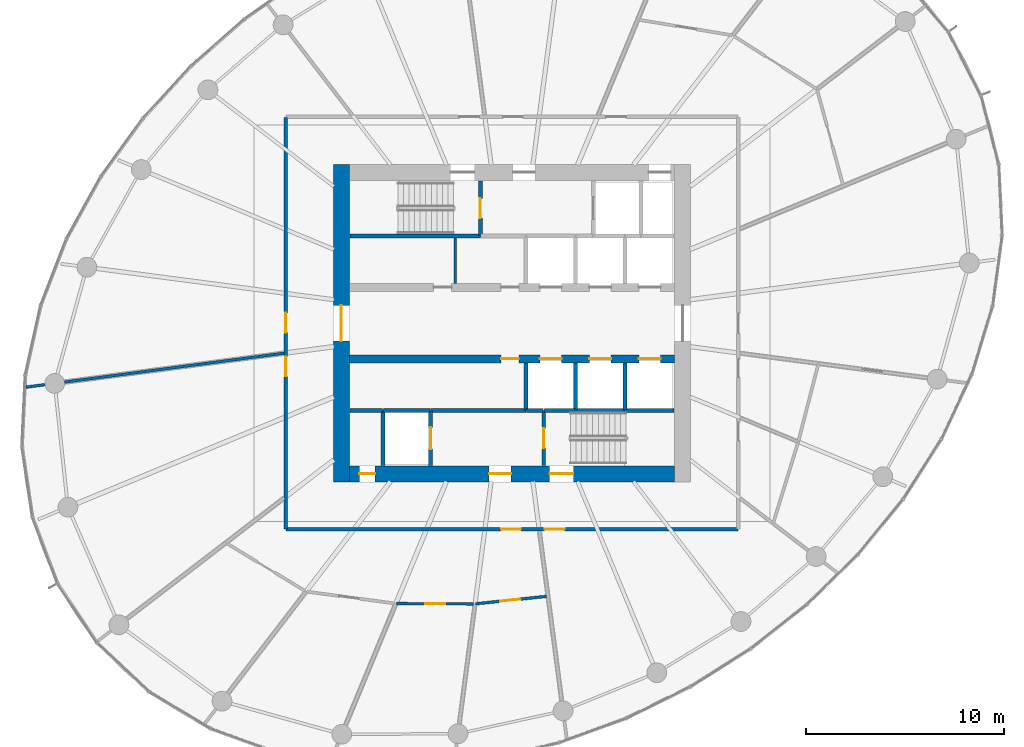
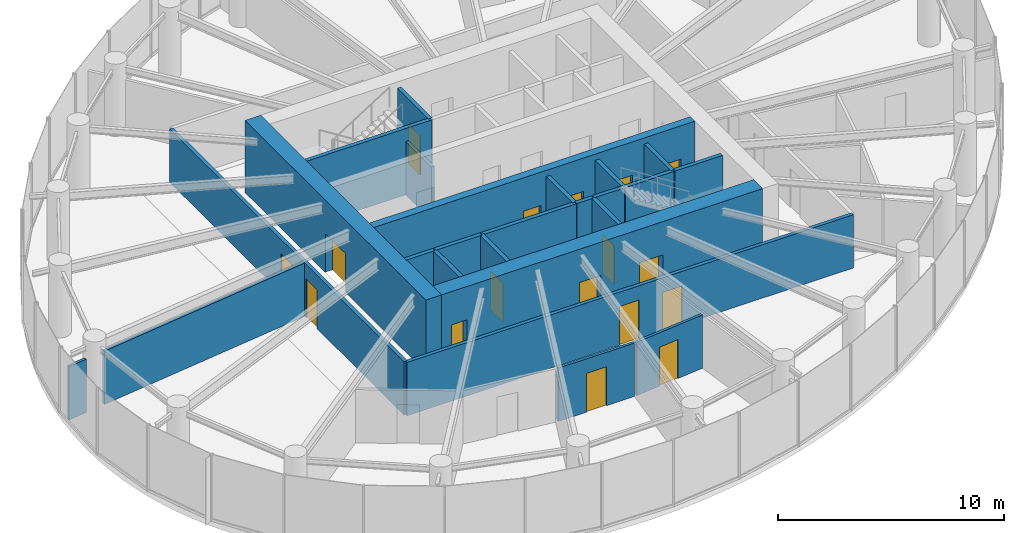
# One storey, part 9 of 14: 25 walls, 17 doors, 17 openings.
"""IFC4 building model written with IfcOpenShell, lengths in metres."""

from ifc_helpers import new_model, si_unit, direction, frame, frame_2d, origin, place, context, subcontext, project, spatial, rectangle, extrude, source, transform, mapped, material, layer, layer_set, type_object, element, fill, save


model = new_model("IFC4")

# Units and contexts
model_context = context("Model", 3, precision=1e-05, world=origin(), true_north=direction((0.0, 1.0)))
body_context = subcontext(model_context, "Body", "Model", "MODEL_VIEW")
ifc_project = project(units=[si_unit("LENGTHUNIT", "METRE"), si_unit("AREAUNIT", "SQUARE_METRE"), si_unit("VOLUMEUNIT", "CUBIC_METRE"), si_unit("PLANEANGLEUNIT", "RADIAN"), si_unit("MASSUNIT", "GRAM", prefix="KILO")], contexts=[model_context])

# Site, building, storey
site_placement = place(None, origin())
site = spatial("IfcSite", under=ifc_project, at=site_placement, CompositionType="ELEMENT")
building_placement = place(site_placement, origin())
building = spatial("IfcBuilding", under=site, at=building_placement, Name="Spindrift Exchange Tower", CompositionType="ELEMENT")
storey_placement = place(building_placement, frame((0.0, 0.0, 140.89990234375)))
storey = spatial("IfcBuildingStorey", under=building, at=storey_placement, Name="L33", CompositionType="ELEMENT", Elevation=140.89990234375)

# Wall, opening, door
ifc_material_1 = material(Name="Concrete 65 MPa", Category="concrete")
ifc_layer_1 = layer(ifc_material_1, 0.800048828125)
ifc_layer_set_1 = layer_set([ifc_layer_1], Name="RC Core Wall 800 Concrete 65 MPa")
wall_type_1 = type_object("IfcWallType", Name="RC Core Wall 800 Concrete 65 MPa", PredefinedType="SHEAR", material=ifc_layer_set_1)
wall_1_placement = place(storey_placement, frame((43.39990234375, 56.0, 0.0), z_axis=(0.0, 0.0, 1.0), x_axis=(0.0, -1.0, 0.0)))
wall_1 = element("IfcWall", 1, at=wall_1_placement, inside=storey, type_object=wall_type_1, Name="Core wall W L33", PredefinedType="SHEAR", context=body_context, shape_type="SweptSolid", body=[
    extrude(rectangle(XDim=16.0, YDim=0.800048828125, at=frame_2d((8.0, 0.0))), origin(), (0.0, 0.0, 1.0), 3.900146484375),
])
opening_1_placement = place(wall_1_placement, frame((7.10009765625, 0.0, 0.0)))
opening_1 = element("IfcOpeningElement", 2, at=opening_1_placement, cuts=wall_1, Name="Opening L33-D1", PredefinedType="OPENING", context=body_context, shape_type="SweptSolid", body=[
    extrude(rectangle(XDim=1.800048828125, YDim=2.10009765625, at=frame_2d((0.89990234375, 1.050048828125))), frame((0.0, 0.409912109375, 0.0), z_axis=(0.0, -1.0, 0.0), x_axis=(1.0, 0.0, 0.0)), (0.0, 0.0, 1.0), 0.820068359375),
])
ifc_material_2 = material(Name="Timber-core fire door", Category="wood")
door_type_1 = type_object("IfcDoorType", Name="DR-LOBBY-1800", OperationType="NOTDEFINED", PredefinedType="DOOR", material=ifc_material_2)
shared_shape_1 = source(origin(), body_context, "Body", "SweptSolid", [
    extrude(rectangle(XDim=1.800048828125, YDim=2.10009765625, at=frame_2d((0.89990234375, 1.050048828125))), frame((0.0, 0.02490234375, 0.0), z_axis=(0.0, -1.0, 0.0), x_axis=(1.0, 0.0, 0.0)), (0.0, 0.0, 1.0), 0.050048828125),
])
door_1_placement = place(opening_1_placement, origin())
door_1 = element("IfcDoor", 3, at=door_1_placement, inside=storey, type_object=door_type_1, Name="L33 Lobby door 1", OperationType="SINGLE_SWING_LEFT", OverallHeight=2.10009765625, OverallWidth=1.800048828125, PredefinedType="DOOR", context=body_context, shape_type="MappedRepresentation", body=[
    mapped(shared_shape_1, transform((0.0, 0.0, 0.0), scale=1.0)),
])
fill(opening_1, door_1)

# Wall, openings, doors
wall_2_placement = place(storey_placement, frame((43.800048828125, 40.39990234375, 0.0), z_axis=(0.0, 0.0, 1.0), x_axis=(1.0, 0.0, 0.0)))
wall_2 = element("IfcWall", 4, at=wall_2_placement, inside=storey, type_object=wall_type_1, Name="Core wall S L33", PredefinedType="SHEAR", context=body_context, shape_type="SweptSolid", body=[
    extrude(rectangle(XDim=16.39990234375, YDim=0.800048828125, at=frame_2d((8.199951171875, 0.0))), origin(), (0.0, 0.0, 1.0), 3.900146484375),
])
opening_2_placement = place(wall_2_placement, frame((10.10009765625, 0.0, 0.0)))
opening_2 = element("IfcOpeningElement", 5, at=opening_2_placement, cuts=wall_2, Name="Opening L33-D15", PredefinedType="OPENING", context=body_context, shape_type="SweptSolid", body=[
    extrude(rectangle(XDim=1.199951171875, YDim=2.10009765625, at=frame_2d((0.60009765625, 1.050048828125))), frame((0.0, 0.409912109375, 0.0), z_axis=(0.0, -1.0, 0.0), x_axis=(1.0, 0.0, 0.0)), (0.0, 0.0, 1.0), 0.820068359375),
])
opening_3_placement = place(wall_2_placement, frame((7.050048828125, 0.0, 0.0)))
opening_3 = element("IfcOpeningElement", 6, at=opening_3_placement, cuts=wall_2, Name="Opening L33-D17", PredefinedType="OPENING", context=body_context, shape_type="SweptSolid", body=[
    extrude(rectangle(XDim=1.10009765625, YDim=2.10009765625, at=frame_2d((0.550048828125, 1.050048828125))), frame((0.0, 0.409912109375, 0.0), z_axis=(0.0, -1.0, 0.0), x_axis=(1.0, 0.0, 0.0)), (0.0, 0.0, 1.0), 0.820068359375),
])
opening_4_placement = place(wall_2_placement, frame((0.5, 0.0, 0.0)))
opening_4 = element("IfcOpeningElement", 7, at=opening_4_placement, cuts=wall_2, Name="Opening L33-D18", PredefinedType="OPENING", context=body_context, shape_type="SweptSolid", body=[
    extrude(rectangle(XDim=0.800048828125, YDim=2.10009765625, at=frame_2d((0.39990234375, 1.050048828125))), frame((0.0, 0.409912109375, 0.0), z_axis=(0.0, -1.0, 0.0), x_axis=(1.0, 0.0, 0.0)), (0.0, 0.0, 1.0), 0.820068359375),
])
ifc_material_3 = material(Name="Steel fire door", Category="steel")
door_type_2 = type_object("IfcDoorType", Name="DR-STAIR-1200", OperationType="NOTDEFINED", PredefinedType="DOOR", material=ifc_material_3)
shared_shape_2 = source(origin(), body_context, "Body", "SweptSolid", [
    extrude(rectangle(XDim=1.199951171875, YDim=2.10009765625, at=frame_2d((0.60009765625, 1.050048828125))), frame((0.0, 0.02490234375, 0.0), z_axis=(0.0, -1.0, 0.0), x_axis=(1.0, 0.0, 0.0)), (0.0, 0.0, 1.0), 0.050048828125),
])
door_2_placement = place(opening_2_placement, origin())
door_2 = element("IfcDoor", 8, at=door_2_placement, inside=storey, type_object=door_type_2, Name="L33 Stair door 15", OperationType="SINGLE_SWING_RIGHT", OverallHeight=2.10009765625, OverallWidth=1.199951171875, PredefinedType="DOOR", context=body_context, shape_type="MappedRepresentation", body=[
    mapped(shared_shape_2, transform((0.0, 0.0, 0.0), scale=1.0)),
])
fill(opening_2, door_2)
door_type_3 = type_object("IfcDoorType", Name="DR-LOBBY-1100", OperationType="NOTDEFINED", PredefinedType="DOOR", material=ifc_material_2)
shared_shape_3 = source(origin(), body_context, "Body", "SweptSolid", [
    extrude(rectangle(XDim=1.10009765625, YDim=2.10009765625, at=frame_2d((0.550048828125, 1.050048828125))), frame((0.0, 0.02490234375, 0.0), z_axis=(0.0, -1.0, 0.0), x_axis=(1.0, 0.0, 0.0)), (0.0, 0.0, 1.0), 0.050048828125),
])
door_3_placement = place(opening_3_placement, origin())
door_3 = element("IfcDoor", 9, at=door_3_placement, inside=storey, type_object=door_type_3, Name="L33 Lobby door 17", OperationType="SINGLE_SWING_RIGHT", OverallHeight=2.10009765625, OverallWidth=1.10009765625, PredefinedType="DOOR", context=body_context, shape_type="MappedRepresentation", body=[
    mapped(shared_shape_3, transform((0.0, 0.0, 0.0), scale=1.0)),
])
fill(opening_3, door_3)
ifc_material_4 = material(Name="Steel access door", Category="steel")
door_type_4 = type_object("IfcDoorType", Name="DR-RISER-800", OperationType="NOTDEFINED", PredefinedType="DOOR", material=ifc_material_4)
shared_shape_4 = source(origin(), body_context, "Body", "SweptSolid", [
    extrude(rectangle(XDim=0.800048828125, YDim=2.10009765625, at=frame_2d((0.39990234375, 1.050048828125))), frame((0.0, 0.02490234375, 0.0), z_axis=(0.0, -1.0, 0.0), x_axis=(1.0, 0.0, 0.0)), (0.0, 0.0, 1.0), 0.050048828125),
])
door_4_placement = place(opening_4_placement, origin())
door_4 = element("IfcDoor", 10, at=door_4_placement, inside=storey, type_object=door_type_4, Name="L33 Riser door 18", OperationType="SINGLE_SWING_LEFT", OverallHeight=2.10009765625, OverallWidth=0.800048828125, PredefinedType="DOOR", context=body_context, shape_type="MappedRepresentation", body=[
    mapped(shared_shape_4, transform((0.0, 0.0, 0.0), scale=1.0)),
])
fill(opening_4, door_4)

ifc_layer_2 = layer(ifc_material_1, 0.39990234375)
ifc_layer_set_2 = layer_set([ifc_layer_2], Name="RC Spine Wall 400 Concrete 65 MPa")
wall_type_2 = type_object("IfcWallType", Name="RC Spine Wall 400 Concrete 65 MPa", PredefinedType="SHEAR", material=ifc_layer_set_2)
wall_3_placement = place(storey_placement, frame((43.800048828125, 46.199951171875, 0.0), z_axis=(0.0, 0.0, 1.0), x_axis=(1.0, 0.0, 0.0)))
wall_3 = element("IfcWall", 11, at=wall_3_placement, inside=storey, type_object=wall_type_2, Name="Core spine wall S L33", PredefinedType="SHEAR", context=body_context, shape_type="SweptSolid", body=[
    extrude(rectangle(XDim=16.39990234375, YDim=0.39990234375, at=frame_2d((8.199951171875, 0.0))), origin(), (0.0, 0.0, 1.0), 3.900146484375),
])
opening_5_placement = place(wall_3_placement, frame((9.60009765625, 0.0, 0.0)))
opening_5 = element("IfcOpeningElement", 12, at=opening_5_placement, cuts=wall_3, Name="Opening L33-D6", PredefinedType="OPENING", context=body_context, shape_type="SweptSolid", body=[
    extrude(rectangle(XDim=1.10009765625, YDim=2.10009765625, at=frame_2d((0.550048828125, 1.050048828125))), frame((0.0, 0.2099609375, 0.0), z_axis=(0.0, -1.0, 0.0), x_axis=(1.0, 0.0, 0.0)), (0.0, 0.0, 1.0), 0.419921875),
])
opening_6_placement = place(wall_3_placement, frame((12.10009765625, 0.0, 0.0)))
opening_6 = element("IfcOpeningElement", 13, at=opening_6_placement, cuts=wall_3, Name="Opening L33-D7", PredefinedType="OPENING", context=body_context, shape_type="SweptSolid", body=[
    extrude(rectangle(XDim=1.10009765625, YDim=2.10009765625, at=frame_2d((0.550048828125, 1.050048828125))), frame((0.0, 0.2099609375, 0.0), z_axis=(0.0, -1.0, 0.0), x_axis=(1.0, 0.0, 0.0)), (0.0, 0.0, 1.0), 0.419921875),
])
opening_7_placement = place(wall_3_placement, frame((14.60009765625, 0.0, 0.0)))
opening_7 = element("IfcOpeningElement", 14, at=opening_7_placement, cuts=wall_3, Name="Opening L33-D8", PredefinedType="OPENING", context=body_context, shape_type="SweptSolid", body=[
    extrude(rectangle(XDim=1.10009765625, YDim=2.10009765625, at=frame_2d((0.550048828125, 1.050048828125))), frame((0.0, 0.2099609375, 0.0), z_axis=(0.0, -1.0, 0.0), x_axis=(1.0, 0.0, 0.0)), (0.0, 0.0, 1.0), 0.419921875),
])
opening_8_placement = place(wall_3_placement, frame((7.64990234375, 0.0, 0.0)))
opening_8 = element("IfcOpeningElement", 15, at=opening_8_placement, cuts=wall_3, Name="Opening L33-D39", PredefinedType="OPENING", context=body_context, shape_type="SweptSolid", body=[
    extrude(rectangle(XDim=0.89990234375, YDim=2.10009765625, at=frame_2d((0.449951171875, 1.050048828125))), frame((0.0, 0.2099609375, 0.0), z_axis=(0.0, -1.0, 0.0), x_axis=(1.0, 0.0, 0.0)), (0.0, 0.0, 1.0), 0.419921875),
])
ifc_material_5 = material(Name="Stainless steel landing door", Category="steel")
door_type_5 = type_object("IfcDoorType", Name="DR-LANDING-1100-SL", OperationType="DOUBLE_DOOR_SLIDING", PredefinedType="USERDEFINED", material=ifc_material_5)
shared_shape_5 = source(origin(), body_context, "Body", "SweptSolid", [
    extrude(rectangle(XDim=1.10009765625, YDim=2.10009765625, at=frame_2d((0.550048828125, 1.050048828125))), frame((0.0, 0.02490234375, 0.0), z_axis=(0.0, -1.0, 0.0), x_axis=(1.0, 0.0, 0.0)), (0.0, 0.0, 1.0), 0.050048828125),
])
door_5_placement = place(opening_5_placement, origin())
door_5 = element("IfcDoor", 16, at=door_5_placement, inside=storey, type_object=door_type_5, Name="L33 Lift landing door 6", ObjectType="LANDING DOOR", OperationType="DOUBLE_DOOR_SLIDING", OverallHeight=2.10009765625, OverallWidth=1.10009765625, PredefinedType="USERDEFINED", context=body_context, shape_type="MappedRepresentation", body=[
    mapped(shared_shape_5, transform((0.0, 0.0, 0.0), scale=1.0)),
])
fill(opening_5, door_5)
door_6_placement = place(opening_6_placement, origin())
door_6 = element("IfcDoor", 17, at=door_6_placement, inside=storey, type_object=door_type_5, Name="L33 Lift landing door 7", ObjectType="LANDING DOOR", OperationType="DOUBLE_DOOR_SLIDING", OverallHeight=2.10009765625, OverallWidth=1.10009765625, PredefinedType="USERDEFINED", context=body_context, shape_type="MappedRepresentation", body=[
    mapped(shared_shape_5, transform((0.0, 0.0, 0.0), scale=1.0)),
])
fill(opening_6, door_6)
door_7_placement = place(opening_7_placement, origin())
door_7 = element("IfcDoor", 18, at=door_7_placement, inside=storey, type_object=door_type_5, Name="L33 Lift landing door 8", ObjectType="LANDING DOOR", OperationType="DOUBLE_DOOR_SLIDING", OverallHeight=2.10009765625, OverallWidth=1.10009765625, PredefinedType="USERDEFINED", context=body_context, shape_type="MappedRepresentation", body=[
    mapped(shared_shape_5, transform((0.0, 0.0, 0.0), scale=1.0)),
])
fill(opening_7, door_7)
door_type_6 = type_object("IfcDoorType", Name="DR-RISER-900", OperationType="NOTDEFINED", PredefinedType="DOOR", material=ifc_material_4)
shared_shape_6 = source(origin(), body_context, "Body", "SweptSolid", [
    extrude(rectangle(XDim=0.89990234375, YDim=2.10009765625, at=frame_2d((0.449951171875, 1.050048828125))), frame((0.0, 0.02490234375, 0.0), z_axis=(0.0, -1.0, 0.0), x_axis=(1.0, 0.0, 0.0)), (0.0, 0.0, 1.0), 0.050048828125),
])
door_8_placement = place(opening_8_placement, origin())
door_8 = element("IfcDoor", 19, at=door_8_placement, inside=storey, type_object=door_type_6, Name="L33 Riser door 39", OperationType="SINGLE_SWING_RIGHT", OverallHeight=2.10009765625, OverallWidth=0.89990234375, PredefinedType="DOOR", context=body_context, shape_type="MappedRepresentation", body=[
    mapped(shared_shape_6, transform((0.0, 0.0, 0.0), scale=1.0)),
])
fill(opening_8, door_8)

ifc_material_6 = material(Name="Fire-rated plasterboard partition", Category="gypsum")
ifc_layer_3 = layer(ifc_material_6, 0.179931640625)
ifc_layer_set_3 = layer_set([ifc_layer_3], Name="W-CORR-180")
wall_type_3 = type_object("IfcWallType", Name="W-CORR-180", PredefinedType="PARTITIONING", material=ifc_layer_set_3)
wall_4_placement = place(storey_placement, frame((63.39990234375, 37.60009765625, 0.0), z_axis=(0.0, 0.0, 1.0), x_axis=(-1.0, 0.0, 0.0)))
wall_4 = element("IfcWall", 20, at=wall_4_placement, inside=storey, type_object=wall_type_3, Name="L33 Partition wall 28", PredefinedType="PARTITIONING", context=body_context, shape_type="SweptSolid", body=[
    extrude(rectangle(XDim=22.7998046875, YDim=0.179931640625, at=frame_2d((11.39990234375, 0.0))), origin(), (0.0, 0.0, 1.0), 2.880126953125),
])
opening_9_placement = place(wall_4_placement, frame((10.949951171875, 0.0, 0.0)))
opening_9 = element("IfcOpeningElement", 21, at=opening_9_placement, cuts=wall_4, Name="Opening L33-D31", PredefinedType="OPENING", context=body_context, shape_type="SweptSolid", body=[
    extrude(rectangle(XDim=1.0, YDim=2.10009765625, at=frame_2d((0.5, 1.050048828125))), frame((0.0, 0.099853515625, 0.0), z_axis=(0.0, -1.0, 0.0), x_axis=(1.0, 0.0, 0.0)), (0.0, 0.0, 1.0), 0.199951171875),
])
opening_10_placement = place(wall_4_placement, frame((8.75, 0.0, 0.0)))
opening_10 = element("IfcOpeningElement", 22, at=opening_10_placement, cuts=wall_4, Name="Opening L33-D36", PredefinedType="OPENING", context=body_context, shape_type="SweptSolid", body=[
    extrude(rectangle(XDim=1.0, YDim=2.10009765625, at=frame_2d((0.5, 1.050048828125))), frame((0.0, 0.099853515625, 0.0), z_axis=(0.0, -1.0, 0.0), x_axis=(1.0, 0.0, 0.0)), (0.0, 0.0, 1.0), 0.199951171875),
])
door_type_7 = type_object("IfcDoorType", Name="DR-ROOM-1000", OperationType="NOTDEFINED", PredefinedType="DOOR", material=ifc_material_2)
shared_shape_7 = source(origin(), body_context, "Body", "SweptSolid", [
    extrude(rectangle(XDim=1.0, YDim=2.10009765625, at=frame_2d((0.5, 1.050048828125))), frame((0.0, 0.02490234375, 0.0), z_axis=(0.0, -1.0, 0.0), x_axis=(1.0, 0.0, 0.0)), (0.0, 0.0, 1.0), 0.050048828125),
])
door_9_placement = place(opening_9_placement, origin())
door_9 = element("IfcDoor", 23, at=door_9_placement, inside=storey, type_object=door_type_7, Name="L33 Door 31", OperationType="SINGLE_SWING_RIGHT", OverallHeight=2.10009765625, OverallWidth=1.0, PredefinedType="DOOR", context=body_context, shape_type="MappedRepresentation", body=[
    mapped(shared_shape_7, transform((0.0, 0.0, 0.0), scale=1.0)),
])
fill(opening_9, door_9)
door_10_placement = place(opening_10_placement, origin())
door_10 = element("IfcDoor", 24, at=door_10_placement, inside=storey, type_object=door_type_7, Name="L33 Door 36", OperationType="SINGLE_SWING_LEFT", OverallHeight=2.10009765625, OverallWidth=1.0, PredefinedType="DOOR", context=body_context, shape_type="MappedRepresentation", body=[
    mapped(shared_shape_7, transform((0.0, 0.0, 0.0), scale=1.0)),
])
fill(opening_10, door_10)

wall_5_placement = place(storey_placement, frame((40.60009765625, 37.6298828125, 0.0), z_axis=(0.0, 0.0, 1.0), x_axis=(0.0, 1.0, 0.0)))
wall_5 = element("IfcWall", 25, at=wall_5_placement, inside=storey, type_object=wall_type_3, Name="L33 Partition wall 30", PredefinedType="PARTITIONING", context=body_context, shape_type="SweptSolid", body=[
    extrude(rectangle(XDim=20.740234375, YDim=0.179931640625, at=frame_2d((10.3701171875, 0.0))), origin(), (0.0, 0.0, 1.0), 2.880126953125),
])
opening_11_placement = place(wall_5_placement, frame((9.889892578125, 0.0, 0.0)))
opening_11 = element("IfcOpeningElement", 26, at=opening_11_placement, cuts=wall_5, Name="Opening L33-D29", PredefinedType="OPENING", context=body_context, shape_type="SweptSolid", body=[
    extrude(rectangle(XDim=1.0, YDim=2.10009765625, at=frame_2d((0.5, 1.050048828125))), frame((0.0, 0.099853515625, 0.0), z_axis=(0.0, -1.0, 0.0), x_axis=(1.0, 0.0, 0.0)), (0.0, 0.0, 1.0), 0.199951171875),
])
opening_12_placement = place(wall_5_placement, frame((7.68994140625, 0.0, 0.0)))
opening_12 = element("IfcOpeningElement", 27, at=opening_12_placement, cuts=wall_5, Name="Opening L33-D30", PredefinedType="OPENING", context=body_context, shape_type="SweptSolid", body=[
    extrude(rectangle(XDim=1.0, YDim=2.10009765625, at=frame_2d((0.5, 1.050048828125))), frame((0.0, 0.099853515625, 0.0), z_axis=(0.0, -1.0, 0.0), x_axis=(1.0, 0.0, 0.0)), (0.0, 0.0, 1.0), 0.199951171875),
])
door_11_placement = place(opening_11_placement, origin())
door_11 = element("IfcDoor", 28, at=door_11_placement, inside=storey, type_object=door_type_7, Name="L33 Door 29", OperationType="SINGLE_SWING_RIGHT", OverallHeight=2.10009765625, OverallWidth=1.0, PredefinedType="DOOR", context=body_context, shape_type="MappedRepresentation", body=[
    mapped(shared_shape_7, transform((0.0, 0.0, 0.0), scale=1.0)),
])
fill(opening_11, door_11)
door_12_placement = place(opening_12_placement, origin())
door_12 = element("IfcDoor", 29, at=door_12_placement, inside=storey, type_object=door_type_7, Name="L33 Door 30", OperationType="SINGLE_SWING_LEFT", OverallHeight=2.10009765625, OverallWidth=1.0, PredefinedType="DOOR", context=body_context, shape_type="MappedRepresentation", body=[
    mapped(shared_shape_7, transform((0.0, 0.0, 0.0), scale=1.0)),
])
fill(opening_12, door_12)

# Wall
ifc_layer_4 = layer(ifc_material_6, 0.139892578125)
ifc_layer_set_4 = layer_set([ifc_layer_4], Name="W-PART-140")
wall_type_4 = type_object("IfcWallType", Name="W-PART-140", PredefinedType="PARTITIONING", material=ifc_layer_set_4)
wall_6_placement = place(storey_placement, frame((40.510009765625, 46.4873046875, 0.0), z_axis=(0.0, 0.0, 1.0), x_axis=(-0.991446480727, -0.130513891423, 0.0)))
element("IfcWall", 30, at=wall_6_placement, inside=storey, type_object=wall_type_4, Name="L33 Partition wall 32", PredefinedType="PARTITIONING", context=body_context, shape_type="SweptSolid", body=[
    extrude(rectangle(XDim=11.16748046875, YDim=0.139892578125, at=frame_2d((5.583740234375, 0.0))), origin(), (0.0, 0.0, 1.0), 2.880126953125),
])

# Wall, opening, door
wall_7_placement = place(storey_placement, frame((50.06591796875, 33.844482421875, 0.0), z_axis=(0.0, 0.0, 1.0), x_axis=(-0.999992683197, 0.003825382772, 0.0)))
wall_7 = element("IfcWall", 31, at=wall_7_placement, inside=storey, type_object=wall_type_4, Name="L33 Partition wall 52", PredefinedType="PARTITIONING", context=body_context, shape_type="SweptSolid", body=[
    extrude(rectangle(XDim=3.89306640625, YDim=0.139892578125, at=frame_2d((1.946533203125, 0.0))), origin(), (0.0, 0.0, 1.0), 2.880126953125),
])
opening_13_placement = place(wall_7_placement, frame((1.443115234375, 0.0, 0.0)))
opening_13 = element("IfcOpeningElement", 32, at=opening_13_placement, cuts=wall_7, Name="Opening L33-D34", PredefinedType="OPENING", context=body_context, shape_type="SweptSolid", body=[
    extrude(rectangle(XDim=1.0, YDim=2.10009765625, at=frame_2d((0.5, 1.050048828125))), frame((0.0, 0.079833984375, 0.0), z_axis=(0.0, -1.0, 0.0), x_axis=(1.0, 0.0, 0.0)), (0.0, 0.0, 1.0), 0.159912109375),
])
door_13_placement = place(opening_13_placement, origin())
door_13 = element("IfcDoor", 33, at=door_13_placement, inside=storey, type_object=door_type_7, Name="L33 Door 34", OperationType="SINGLE_SWING_LEFT", OverallHeight=2.10009765625, OverallWidth=1.0, PredefinedType="DOOR", context=body_context, shape_type="MappedRepresentation", body=[
    mapped(shared_shape_7, transform((0.0, 0.0, 0.0), scale=1.0)),
])
fill(opening_13, door_13)

wall_8_placement = place(storey_placement, frame((53.742919921875, 34.224365234375, 0.0), z_axis=(0.0, 0.0, 1.0), x_axis=(-0.994492054084, -0.104811995325, 0.0)))
wall_8 = element("IfcWall", 34, at=wall_8_placement, inside=storey, type_object=wall_type_4, Name="L33 Partition wall 54", PredefinedType="PARTITIONING", context=body_context, shape_type="SweptSolid", body=[
    extrude(rectangle(XDim=3.596435546875, YDim=0.139892578125, at=frame_2d((1.79833984375, 0.0))), origin(), (0.0, 0.0, 1.0), 2.880126953125),
])
opening_14_placement = place(wall_8_placement, frame((1.3466796875, 0.0, 0.0)))
opening_14 = element("IfcOpeningElement", 35, at=opening_14_placement, cuts=wall_8, Name="Opening L33-D35", PredefinedType="OPENING", context=body_context, shape_type="SweptSolid", body=[
    extrude(rectangle(XDim=1.0, YDim=2.10009765625, at=frame_2d((0.5, 1.050048828125))), frame((0.0, 0.079833984375, 0.0), z_axis=(0.0, -1.0, 0.0), x_axis=(1.0, 0.0, 0.0)), (0.0, 0.0, 1.0), 0.159912109375),
])
door_14_placement = place(opening_14_placement, origin())
door_14 = element("IfcDoor", 36, at=door_14_placement, inside=storey, type_object=door_type_7, Name="L33 Door 35", OperationType="SINGLE_SWING_RIGHT", OverallHeight=2.10009765625, OverallWidth=1.0, PredefinedType="DOOR", context=body_context, shape_type="MappedRepresentation", body=[
    mapped(shared_shape_7, transform((0.0, 0.0, 0.0), scale=1.0)),
])
fill(opening_14, door_14)

# Walls
wall_9_placement = place(storey_placement, frame((49.139892578125, 50.010009765625, 0.0), z_axis=(0.0, 0.0, 1.0), x_axis=(0.0, 1.0, 0.0)))
element("IfcWall", 37, at=wall_9_placement, inside=storey, type_object=wall_type_4, Name="L33 Partition wall 55", PredefinedType="PARTITIONING", context=body_context, shape_type="SweptSolid", body=[
    extrude(rectangle(XDim=2.2900390625, YDim=0.139892578125, at=frame_2d((1.14501953125, 0.0))), origin(), (0.0, 0.0, 1.0), 2.880126953125),
])
wall_10_placement = place(storey_placement, frame((28.43798828125, 44.89794921875, 0.0), z_axis=(0.0, 0.0, 1.0), x_axis=(-0.991448245314, -0.130500486067, 0.0)))
element("IfcWall", 38, at=wall_10_placement, inside=storey, type_object=wall_type_4, Name="L33 Partition wall 62", PredefinedType="PARTITIONING", context=body_context, shape_type="SweptSolid", body=[
    extrude(rectangle(XDim=0.961669921875, YDim=0.139892578125, at=frame_2d((0.48095703125, 0.0))), origin(), (0.0, 0.0, 1.0), 2.880126953125),
])
ifc_material_7 = material(Name="Concrete 40 MPa", Category="concrete")
ifc_layer_5 = layer(ifc_material_7, 0.199951171875)
ifc_layer_set_5 = layer_set([ifc_layer_5], Name="W-SHAFT-200")
wall_type_5 = type_object("IfcWallType", Name="W-SHAFT-200", PredefinedType="SOLIDWALL", material=ifc_layer_set_5)
wall_11_placement = place(storey_placement, frame((52.699951171875, 43.60009765625, 0.0), z_axis=(0.0, 0.0, 1.0), x_axis=(-1.0, 0.0, 0.0)))
element("IfcWall", 39, at=wall_11_placement, inside=storey, type_object=wall_type_5, Name="L33 Shaft wall 2", PredefinedType="SOLIDWALL", context=body_context, shape_type="SweptSolid", body=[
    extrude(rectangle(XDim=4.800048828125, YDim=0.199951171875, at=frame_2d((2.39990234375, 0.0))), origin(), (0.0, 0.0, 1.0), 3.580078125),
])
wall_12_placement = place(storey_placement, frame((45.5, 43.60009765625, 0.0), z_axis=(0.0, 0.0, 1.0), x_axis=(0.0, -1.0, 0.0)))
element("IfcWall", 40, at=wall_12_placement, inside=storey, type_object=wall_type_5, Name="L33 Shaft wall 3", PredefinedType="SOLIDWALL", context=body_context, shape_type="SweptSolid", body=[
    extrude(rectangle(XDim=2.780029296875, YDim=0.199951171875, at=frame_2d((1.39013671875, 0.0))), origin(), (0.0, 0.0, 1.0), 3.580078125),
])

# Wall, opening, door
wall_13_placement = place(storey_placement, frame((47.89990234375, 40.820068359375, 0.0), z_axis=(0.0, 0.0, 1.0), x_axis=(0.0, 1.0, 0.0)))
wall_13 = element("IfcWall", 41, at=wall_13_placement, inside=storey, type_object=wall_type_5, Name="L33 Shaft wall 4", PredefinedType="SOLIDWALL", context=body_context, shape_type="SweptSolid", body=[
    extrude(rectangle(XDim=2.75, YDim=0.199951171875, at=frame_2d((1.375, 0.0))), origin(), (0.0, 0.0, 1.0), 3.580078125),
])
opening_15_placement = place(wall_13_placement, frame((0.830078125, 0.0, 0.0)))
opening_15 = element("IfcOpeningElement", 42, at=opening_15_placement, cuts=wall_13, Name="Opening L33-D10", PredefinedType="OPENING", context=body_context, shape_type="SweptSolid", body=[
    extrude(rectangle(XDim=1.10009765625, YDim=2.10009765625, at=frame_2d((0.550048828125, 1.050048828125))), frame((0.0, 0.10986328125, 0.0), z_axis=(0.0, -1.0, 0.0), x_axis=(1.0, 0.0, 0.0)), (0.0, 0.0, 1.0), 0.219970703125),
])
door_15_placement = place(opening_15_placement, origin())
door_15 = element("IfcDoor", 43, at=door_15_placement, inside=storey, type_object=door_type_5, Name="L33 Lift landing door 10", ObjectType="LANDING DOOR", OperationType="DOUBLE_DOOR_SLIDING", OverallHeight=2.10009765625, OverallWidth=1.10009765625, PredefinedType="USERDEFINED", context=body_context, shape_type="MappedRepresentation", body=[
    mapped(shared_shape_5, transform((0.0, 0.0, 0.0), scale=1.0)),
])
fill(opening_15, door_15)

# Walls
wall_14_placement = place(storey_placement, frame((47.8701171875, 43.60009765625, 0.0), z_axis=(0.0, 0.0, 1.0), x_axis=(-1.0, 0.0, 0.0)))
element("IfcWall", 44, at=wall_14_placement, inside=storey, type_object=wall_type_5, Name="L33 Shaft wall 12", PredefinedType="SOLIDWALL", context=body_context, shape_type="SweptSolid", body=[
    extrude(rectangle(XDim=2.340087890625, YDim=0.199951171875, at=frame_2d((1.169921875, 0.0))), origin(), (0.0, 0.0, 1.0), 3.580078125),
])
wall_15_placement = place(storey_placement, frame((52.699951171875, 45.989990234375, 0.0), z_axis=(0.0, 0.0, 1.0), x_axis=(0.0, -1.0, 0.0)))
element("IfcWall", 45, at=wall_15_placement, inside=storey, type_object=wall_type_5, Name="L33 Shaft wall 13", PredefinedType="SOLIDWALL", context=body_context, shape_type="SweptSolid", body=[
    extrude(rectangle(XDim=2.360107421875, YDim=0.199951171875, at=frame_2d((1.18017578125, 0.0))), origin(), (0.0, 0.0, 1.0), 3.580078125),
])
wall_16_placement = place(storey_placement, frame((45.469970703125, 43.60009765625, 0.0), z_axis=(0.0, 0.0, 1.0), x_axis=(-1.0, 0.0, 0.0)))
element("IfcWall", 46, at=wall_16_placement, inside=storey, type_object=wall_type_5, Name="L33 Shaft wall 20", PredefinedType="SOLIDWALL", context=body_context, shape_type="SweptSolid", body=[
    extrude(rectangle(XDim=1.64990234375, YDim=0.199951171875, at=frame_2d((0.824951171875, 0.0))), origin(), (0.0, 0.0, 1.0), 3.580078125),
])
ifc_layer_6 = layer(ifc_material_7, 0.199951171875)
ifc_layer_set_6 = layer_set([ifc_layer_6], Name="W-SHAFT-200-LB")
wall_type_6 = type_object("IfcWallType", Name="W-SHAFT-200-LB", PredefinedType="SOLIDWALL", material=ifc_layer_set_6)
wall_17_placement = place(storey_placement, frame((43.820068359375, 52.39990234375, 0.0), z_axis=(0.0, 0.0, 1.0), x_axis=(1.0, 0.0, 0.0)))
element("IfcWall", 47, at=wall_17_placement, inside=storey, type_object=wall_type_6, Name="L33 Shaft wall 1", PredefinedType="SOLIDWALL", context=body_context, shape_type="SweptSolid", body=[
    extrude(rectangle(XDim=6.579833984375, YDim=0.199951171875, at=frame_2d((3.2900390625, 0.0))), origin(), (0.0, 0.0, 1.0), 3.580078125),
])

# Wall, opening, door
wall_18_placement = place(storey_placement, frame((50.39990234375, 52.429931640625, 0.0), z_axis=(0.0, 0.0, 1.0), x_axis=(0.0, 1.0, 0.0)))
wall_18 = element("IfcWall", 48, at=wall_18_placement, inside=storey, type_object=wall_type_6, Name="L33 Shaft wall 5", PredefinedType="SOLIDWALL", context=body_context, shape_type="SweptSolid", body=[
    extrude(rectangle(XDim=2.75, YDim=0.199951171875, at=frame_2d((1.375, 0.0))), origin(), (0.0, 0.0, 1.0), 3.580078125),
])
opening_16_placement = place(wall_18_placement, frame((0.8701171875, 0.0, 0.0)))
opening_16 = element("IfcOpeningElement", 49, at=opening_16_placement, cuts=wall_18, Name="Opening L33-D13", PredefinedType="OPENING", context=body_context, shape_type="SweptSolid", body=[
    extrude(rectangle(XDim=1.0, YDim=2.10009765625, at=frame_2d((0.5, 1.050048828125))), frame((0.0, 0.10986328125, 0.0), z_axis=(0.0, -1.0, 0.0), x_axis=(1.0, 0.0, 0.0)), (0.0, 0.0, 1.0), 0.219970703125),
])
door_type_8 = type_object("IfcDoorType", Name="DR-STAIR-1000", OperationType="NOTDEFINED", PredefinedType="DOOR", material=ifc_material_3)
shared_shape_8 = source(origin(), body_context, "Body", "SweptSolid", [
    extrude(rectangle(XDim=1.0, YDim=2.10009765625, at=frame_2d((0.5, 1.050048828125))), frame((0.0, 0.02490234375, 0.0), z_axis=(0.0, -1.0, 0.0), x_axis=(1.0, 0.0, 0.0)), (0.0, 0.0, 1.0), 0.050048828125),
])
door_16_placement = place(opening_16_placement, origin())
door_16 = element("IfcDoor", 50, at=door_16_placement, inside=storey, type_object=door_type_8, Name="L33 Stair door 13", OperationType="SINGLE_SWING_RIGHT", OverallHeight=2.10009765625, OverallWidth=1.0, PredefinedType="DOOR", context=body_context, shape_type="MappedRepresentation", body=[
    mapped(shared_shape_8, transform((0.0, 0.0, 0.0), scale=1.0)),
])
fill(opening_16, door_16)

wall_19_placement = place(storey_placement, frame((53.60009765625, 43.60009765625, 0.0), z_axis=(0.0, 0.0, 1.0), x_axis=(0.0, -1.0, 0.0)))
wall_19 = element("IfcWall", 51, at=wall_19_placement, inside=storey, type_object=wall_type_6, Name="L33 Shaft wall 6", PredefinedType="SOLIDWALL", context=body_context, shape_type="SweptSolid", body=[
    extrude(rectangle(XDim=2.780029296875, YDim=0.199951171875, at=frame_2d((1.39013671875, 0.0))), origin(), (0.0, 0.0, 1.0), 3.580078125),
])
opening_17_placement = place(wall_19_placement, frame((0.89990234375, 0.0, 0.0)))
opening_17 = element("IfcOpeningElement", 52, at=opening_17_placement, cuts=wall_19, Name="Opening L33-D16", PredefinedType="OPENING", context=body_context, shape_type="SweptSolid", body=[
    extrude(rectangle(XDim=1.0, YDim=2.10009765625, at=frame_2d((0.5, 1.050048828125))), frame((0.0, 0.10986328125, 0.0), z_axis=(0.0, -1.0, 0.0), x_axis=(1.0, 0.0, 0.0)), (0.0, 0.0, 1.0), 0.219970703125),
])
door_17_placement = place(opening_17_placement, origin())
door_17 = element("IfcDoor", 53, at=door_17_placement, inside=storey, type_object=door_type_8, Name="L33 Stair door 16", OperationType="SINGLE_SWING_LEFT", OverallHeight=2.10009765625, OverallWidth=1.0, PredefinedType="DOOR", context=body_context, shape_type="MappedRepresentation", body=[
    mapped(shared_shape_8, transform((0.0, 0.0, 0.0), scale=1.0)),
])
fill(opening_17, door_17)

# Walls
wall_20_placement = place(storey_placement, frame((55.199951171875, 43.60009765625, 0.0), z_axis=(0.0, 0.0, 1.0), x_axis=(1.0, 0.0, 0.0)))
element("IfcWall", 54, at=wall_20_placement, inside=storey, type_object=wall_type_6, Name="L33 Shaft wall 10", PredefinedType="SOLIDWALL", context=body_context, shape_type="SweptSolid", body=[
    extrude(rectangle(XDim=2.5, YDim=0.199951171875, at=frame_2d((1.25, 0.0))), origin(), (0.0, 0.0, 1.0), 3.580078125),
])
wall_21_placement = place(storey_placement, frame((57.72998046875, 43.60009765625, 0.0), z_axis=(0.0, 0.0, 1.0), x_axis=(1.0, 0.0, 0.0)))
element("IfcWall", 55, at=wall_21_placement, inside=storey, type_object=wall_type_6, Name="L33 Shaft wall 11", PredefinedType="SOLIDWALL", context=body_context, shape_type="SweptSolid", body=[
    extrude(rectangle(XDim=2.449951171875, YDim=0.199951171875, at=frame_2d((1.22509765625, 0.0))), origin(), (0.0, 0.0, 1.0), 3.580078125),
])
for number, where, z_axis, x_axis, name in (
    (56, (55.199951171875, 43.6298828125, 0.0), (0.0, 0.0, 1.0), (0.0, 1.0, 0.0), "L33 Shaft wall 15"),
    (57, (57.699951171875, 43.6298828125, 0.0), (0.0, 0.0, 1.0), (0.0, 1.0, 0.0), "L33 Shaft wall 17"),
):
    element("IfcWall", number, at=place(storey_placement, frame(where, z_axis=z_axis, x_axis=x_axis)), inside=storey, type_object=wall_type_6, Name=name, PredefinedType="SOLIDWALL", context=body_context, shape_type="SweptSolid", body=[
        extrude(rectangle(XDim=2.360107421875, YDim=0.199951171875, at=frame_2d((1.18017578125, 0.0))), origin(), (0.0, 0.0, 1.0), 3.580078125),
    ])
wall_22_placement = place(storey_placement, frame((53.6298828125, 43.60009765625, 0.0), z_axis=(0.0, 0.0, 1.0), x_axis=(1.0, 0.0, 0.0)))
element("IfcWall", 58, at=wall_22_placement, inside=storey, type_object=wall_type_6, Name="L33 Shaft wall 22", PredefinedType="SOLIDWALL", context=body_context, shape_type="SweptSolid", body=[
    extrude(rectangle(XDim=1.5400390625, YDim=0.199951171875, at=frame_2d((0.77001953125, 0.0))), origin(), (0.0, 0.0, 1.0), 3.580078125),
])
wall_23_placement = place(storey_placement, frame((52.72998046875, 43.60009765625, 0.0), z_axis=(0.0, 0.0, 1.0), x_axis=(1.0, 0.0, 0.0)))
element("IfcWall", 59, at=wall_23_placement, inside=storey, type_object=wall_type_6, Name="L33 Shaft wall 24", PredefinedType="SOLIDWALL", context=body_context, shape_type="SweptSolid", body=[
    extrude(rectangle(XDim=0.840087890625, YDim=0.199951171875, at=frame_2d((0.419921875, 0.0))), origin(), (0.0, 0.0, 1.0), 3.580078125),
])

save(model, "model.ifc")
